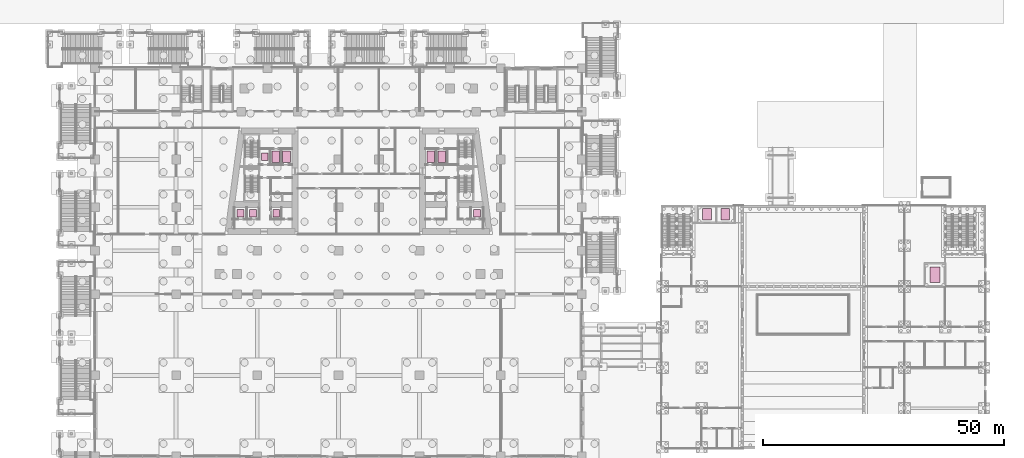
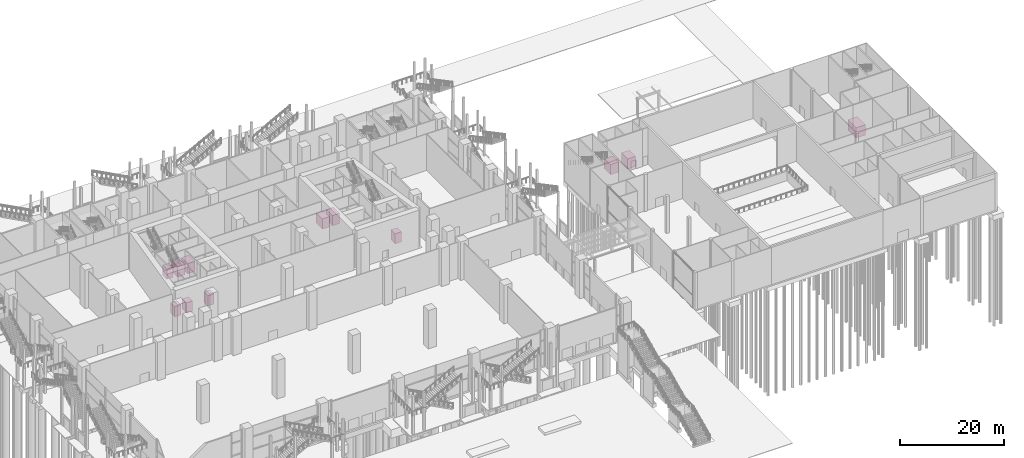
# One storey, part 72 of 72: 12 transport elements.
"""IFC4 building model written with IfcOpenShell, lengths in metres."""

from ifc_helpers import new_model, si_unit, direction, frame, origin, origin_2d, place, context, subcontext, project, spatial, rectangle, extrude, material, type_object, element, save


model = new_model("IFC4")

# Units and contexts
model_context = context("Model", 3, precision=1e-05, world=origin(), true_north=direction((0.0, 1.0)))
body_context = subcontext(model_context, "Body", "Model", "MODEL_VIEW")
ifc_project = project(units=[si_unit("LENGTHUNIT", "METRE"), si_unit("AREAUNIT", "SQUARE_METRE"), si_unit("VOLUMEUNIT", "CUBIC_METRE"), si_unit("PLANEANGLEUNIT", "RADIAN"), si_unit("MASSUNIT", "GRAM", prefix="KILO")], contexts=[model_context])

# Site, building, storey
site_placement = place(None, origin())
site = spatial("IfcSite", under=ifc_project, at=site_placement, CompositionType="ELEMENT")
building_placement = place(site_placement, origin())
building = spatial("IfcBuilding", under=site, at=building_placement, Name="Candeia Pilgrim Tower and Theatre", CompositionType="ELEMENT")
storey_placement = place(building_placement, origin())
storey = spatial("IfcBuildingStorey", under=building, at=storey_placement, Name="L00", CompositionType="ELEMENT", Elevation=0.0)

# Transport elements
ifc_material_1 = material(Name="Stainless steel car", Category="steel")
transport_element_type_1 = type_object("IfcTransportElementType", Name="Goods lift 2500 kg", PredefinedType="ELEVATOR", material=ifc_material_1)
transport_element_placement = place(storey_placement, frame((232.699951171875, 102.0, 0.0), z_axis=(0.0, 0.0, 1.0), x_axis=(1.0, 0.0, 0.0)))
element("IfcTransportElement", 1, at=transport_element_placement, inside=storey, type_object=transport_element_type_1, Name="Lift LG1", PredefinedType="ELEVATOR", context=body_context, shape_type="SweptSolid", body=[
    extrude(rectangle(XDim=2.10009765625, YDim=3.199951171875, at=origin_2d()), origin(), (0.0, 0.0, 1.0), 2.39990234375),
])
ifc_material_2 = material(Name="Stainless steel lift car", Category="steel")
transport_element_type_2 = type_object("IfcTransportElementType", Name="LIFT-1400x1600 1050kg", PredefinedType="ELEVATOR", material=ifc_material_2)
for number, where, z_axis, x_axis, name in (
    (2, (88.929931640625, 114.75, 0.0), (0.0, 0.0, 1.0), (1.0, 0.0, 0.0), "Low-rise lift LR1"),
    (3, (91.528076171875, 114.75, 0.0), (0.0, 0.0, 1.0), (1.0, 0.0, 0.0), "Low-rise lift LR2"),
    (4, (96.3203125, 114.75, 0.0), (0.0, 0.0, 1.0), (1.0, 0.0, 0.0), "Low-rise lift LR3"),
    (5, (137.8701171875, 114.75, 0.0), (0.0, 0.0, 1.0), (1.0, 0.0, 0.0), "Low-rise lift LR4"),
    (6, (93.955810546875, 126.449951171875, 0.0), (0.0, 0.0, 1.0), (1.0, 0.0, 0.0), "Panorama express OB1"),
):
    element("IfcTransportElement", number, at=place(storey_placement, frame(where, z_axis=z_axis, x_axis=x_axis)), inside=storey, type_object=transport_element_type_2, Name=name, PredefinedType="ELEVATOR", context=body_context, shape_type="SweptSolid", body=[
        extrude(rectangle(XDim=1.39990234375, YDim=1.60009765625, at=origin_2d()), origin(), (0.0, 0.0, 1.0), 2.39990234375),
    ])
transport_element_type_3 = type_object("IfcTransportElementType", Name="LIFT-1600x2400 1600kg", PredefinedType="ELEVATOR", material=ifc_material_2)
for number, where, z_axis, x_axis, name in (
    (7, (96.21337890625, 126.449951171875, 0.0), (0.0, 0.0, 1.0), (1.0, 0.0, 0.0), "Firefighting lift FF1"),
    (8, (98.47119140625, 126.449951171875, 0.0), (0.0, 0.0, 1.0), (1.0, 0.0, 0.0), "Service lift SV1"),
    (9, (130.58642578125, 126.449951171875, 0.0), (0.0, 0.0, 1.0), (1.0, 0.0, 0.0), "Firefighting lift FF2"),
    (10, (128.328857421875, 126.449951171875, 0.0), (0.0, 0.0, 1.0), (1.0, 0.0, 0.0), "Service lift SV2"),
):
    element("IfcTransportElement", number, at=place(storey_placement, frame(where, z_axis=z_axis, x_axis=x_axis)), inside=storey, type_object=transport_element_type_3, Name=name, PredefinedType="ELEVATOR", context=body_context, shape_type="SweptSolid", body=[
        extrude(rectangle(XDim=1.60009765625, YDim=2.39990234375, at=origin_2d()), origin(), (0.0, 0.0, 1.0), 2.39990234375),
    ])
transport_element_type_4 = type_object("IfcTransportElementType", Name="Passenger lift 1600 kg", PredefinedType="ELEVATOR", material=ifc_material_1)
for number, where, z_axis, x_axis, name in (
    (11, (185.5, 114.53759765625, 0.0), (0.0, 0.0, 1.0), (1.0, 0.0, 0.0), "Lift LA1"),
    (12, (189.300048828125, 114.53759765625, 0.0), (0.0, 0.0, 1.0), (1.0, 0.0, 0.0), "Lift LA2"),
):
    element("IfcTransportElement", number, at=place(storey_placement, frame(where, z_axis=z_axis, x_axis=x_axis)), inside=storey, type_object=transport_element_type_4, Name=name, PredefinedType="ELEVATOR", context=body_context, shape_type="SweptSolid", body=[
        extrude(rectangle(XDim=1.800048828125, YDim=2.39990234375, at=origin_2d()), origin(), (0.0, 0.0, 1.0), 2.39990234375),
    ])

save(model, "model.ifc")
